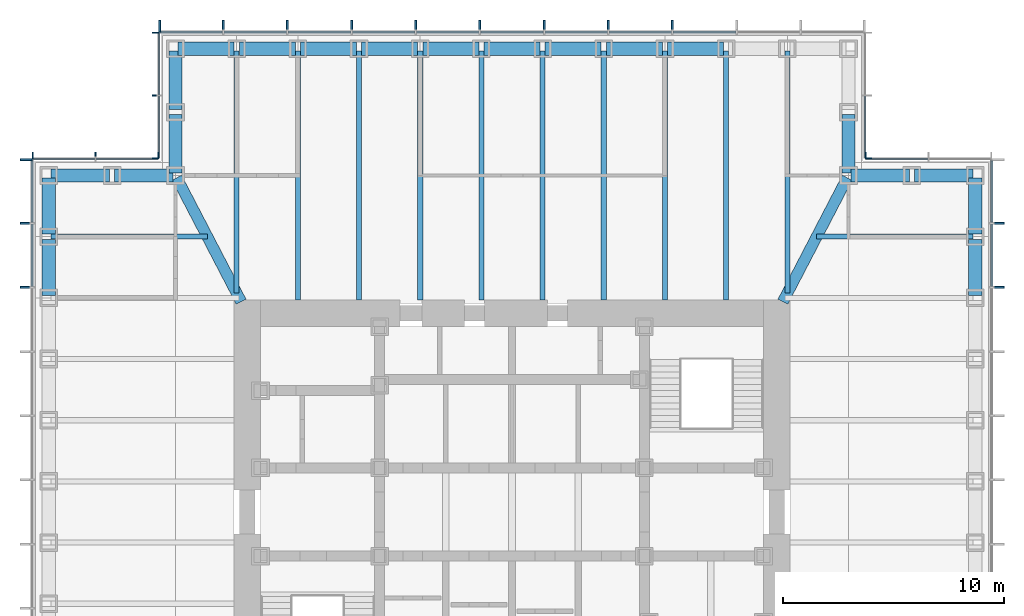
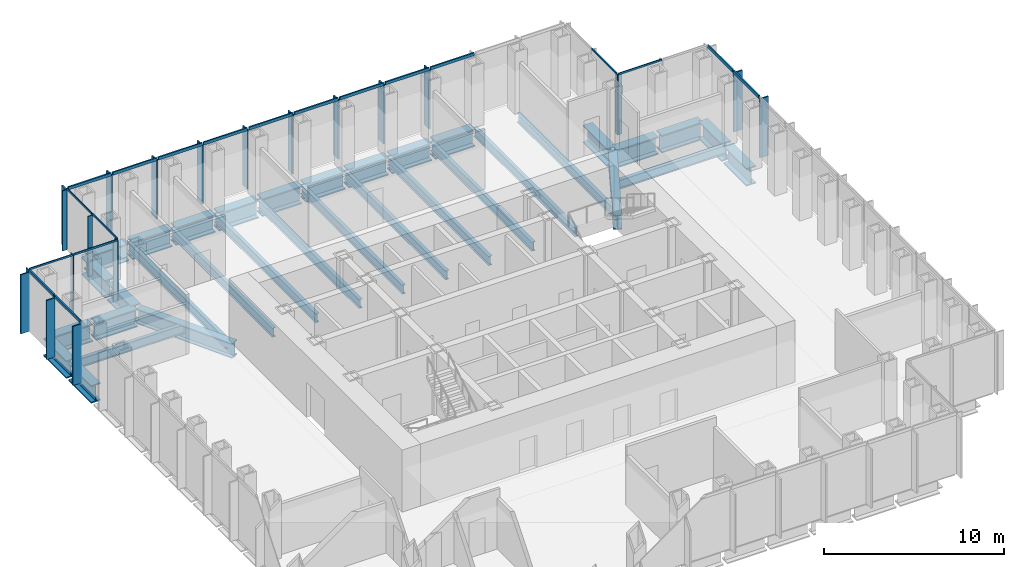
# One storey, part 5 of 16: 41 members, 34 beams, 7 elements without a shape of their own.
"""IFC4 building model written with IfcOpenShell, lengths in metres."""

from ifc_helpers import new_model, si_unit, direction, frame, origin, origin_2d, place, context, subcontext, project, spatial, rectangle, i_section, extrude, material, material_profile, profile_set, type_object, element, aggregate, save


model = new_model("IFC4")

# Units and contexts
model_context = context("Model", 3, precision=1e-05, world=origin(), true_north=direction((0.0, 1.0)))
body_context = subcontext(model_context, "Body", "Model", "MODEL_VIEW")
ifc_project = project(units=[si_unit("LENGTHUNIT", "METRE"), si_unit("AREAUNIT", "SQUARE_METRE"), si_unit("VOLUMEUNIT", "CUBIC_METRE"), si_unit("PLANEANGLEUNIT", "RADIAN"), si_unit("MASSUNIT", "GRAM", prefix="KILO")], contexts=[model_context])

# Site, building, storey
site_placement = place(None, origin())
site = spatial("IfcSite", under=ifc_project, at=site_placement, CompositionType="ELEMENT")
building_placement = place(site_placement, origin())
building = spatial("IfcBuilding", under=site, at=building_placement, Name="Daluyong Arena Tower", CompositionType="ELEMENT")
storey_placement = place(building_placement, frame((0.0, 0.0, 262.89990234375)))
storey = spatial("IfcBuildingStorey", under=building, at=storey_placement, Name="L59", CompositionType="ELEMENT", Elevation=262.89990234375)

# Curtain wall, members
ifc_material_1 = material(Name="Bronze anodised aluminium and glass", Category="aluminium")
curtain_wall_type_1 = type_object("IfcCurtainWallType", Name="Curtain wall CW4", PredefinedType="USERDEFINED", material=ifc_material_1)
curtain_wall_1_placement = place(storey_placement, origin())
curtain_wall_1 = element("IfcCurtainWall", 1, at=curtain_wall_1_placement, inside=storey, type_object=curtain_wall_type_1, Name="curtain wall L59 E", ObjectType="UNITISED CURTAIN WALL", PredefinedType="USERDEFINED")
ifc_material_2 = material(Name="Bronze anodised aluminium fin", Category="aluminium")
ifc_material_profile_1 = material_profile(ifc_material_2, rectangle(XDim=0.550048828125, YDim=0.090087890625, at=origin_2d()))
ifc_profile_set_1 = profile_set([ifc_material_profile_1], Name="Bronze anodised aluminium fin")
member_type_1 = type_object("IfcMemberType", Name="CW4 bronze fin 550x90", PredefinedType="MULLION", material=ifc_profile_set_1)
member_1_placement = place(storey_placement, frame((78.02490234375, 90.181884765625, 0.0), z_axis=(0.0, 0.0, 1.0), x_axis=(-1.0, 0.0, 0.0)))
member_1 = element("IfcMember", 2, at=member_1_placement, type_object=member_type_1, Name="curtain wall L59 E fin 10", PredefinedType="MULLION", context=body_context, shape_type="SweptSolid", body=[
    extrude(rectangle(XDim=0.550048828125, YDim=0.090087890625, at=origin_2d()), origin(), (0.0, 0.0, 1.0), 4.0),
])
member_2_placement = place(storey_placement, frame((78.02490234375, 93.0908203125, 0.0), z_axis=(0.0, 0.0, 1.0), x_axis=(-1.0, 0.0, 0.0)))
member_2 = element("IfcMember", 3, at=member_2_placement, type_object=member_type_1, Name="curtain wall L59 E fin 11", PredefinedType="MULLION", context=body_context, shape_type="SweptSolid", body=[
    extrude(rectangle(XDim=0.550048828125, YDim=0.090087890625, at=origin_2d()), origin(), (0.0, 0.0, 1.0), 4.0),
])

curtain_wall_2_placement = place(storey_placement, origin())
curtain_wall_2 = element("IfcCurtainWall", 4, at=curtain_wall_2_placement, inside=storey, type_object=curtain_wall_type_1, Name="curtain wall L59 N", ObjectType="UNITISED CURTAIN WALL", PredefinedType="USERDEFINED")
member_3_placement = place(storey_placement, frame((63.272705078125, 102.02490234375, 0.0), z_axis=(0.0, 0.0, 1.0), x_axis=(0.0, -1.0, 0.0)))
member_3 = element("IfcMember", 5, at=member_3_placement, type_object=member_type_1, Name="curtain wall L59 N fin 4", PredefinedType="MULLION", context=body_context, shape_type="SweptSolid", body=[
    extrude(rectangle(XDim=0.550048828125, YDim=0.090087890625, at=origin_2d()), origin(), (0.0, 0.0, 1.0), 4.0),
])
member_4_placement = place(storey_placement, frame((60.363525390625, 102.02490234375, 0.0), z_axis=(0.0, 0.0, 1.0), x_axis=(0.0, -1.0, 0.0)))
member_4 = element("IfcMember", 6, at=member_4_placement, type_object=member_type_1, Name="curtain wall L59 N fin 5", PredefinedType="MULLION", context=body_context, shape_type="SweptSolid", body=[
    extrude(rectangle(XDim=0.550048828125, YDim=0.090087890625, at=origin_2d()), origin(), (0.0, 0.0, 1.0), 4.0),
])
member_5_placement = place(storey_placement, frame((57.45458984375, 102.02490234375, 0.0), z_axis=(0.0, 0.0, 1.0), x_axis=(0.0, -1.0, 0.0)))
member_5 = element("IfcMember", 7, at=member_5_placement, type_object=member_type_1, Name="curtain wall L59 N fin 6", PredefinedType="MULLION", context=body_context, shape_type="SweptSolid", body=[
    extrude(rectangle(XDim=0.550048828125, YDim=0.090087890625, at=origin_2d()), origin(), (0.0, 0.0, 1.0), 4.0),
])
member_6_placement = place(storey_placement, frame((54.54541015625, 102.02490234375, 0.0), z_axis=(0.0, 0.0, 1.0), x_axis=(0.0, -1.0, 0.0)))
member_6 = element("IfcMember", 8, at=member_6_placement, type_object=member_type_1, Name="curtain wall L59 N fin 7", PredefinedType="MULLION", context=body_context, shape_type="SweptSolid", body=[
    extrude(rectangle(XDim=0.550048828125, YDim=0.090087890625, at=origin_2d()), origin(), (0.0, 0.0, 1.0), 4.0),
])
member_7_placement = place(storey_placement, frame((51.636474609375, 102.02490234375, 0.0), z_axis=(0.0, 0.0, 1.0), x_axis=(0.0, -1.0, 0.0)))
member_7 = element("IfcMember", 9, at=member_7_placement, type_object=member_type_1, Name="curtain wall L59 N fin 8", PredefinedType="MULLION", context=body_context, shape_type="SweptSolid", body=[
    extrude(rectangle(XDim=0.550048828125, YDim=0.090087890625, at=origin_2d()), origin(), (0.0, 0.0, 1.0), 4.0),
])
member_8_placement = place(storey_placement, frame((48.727294921875, 102.02490234375, 0.0), z_axis=(0.0, 0.0, 1.0), x_axis=(0.0, -1.0, 0.0)))
member_8 = element("IfcMember", 10, at=member_8_placement, type_object=member_type_1, Name="curtain wall L59 N fin 9", PredefinedType="MULLION", context=body_context, shape_type="SweptSolid", body=[
    extrude(rectangle(XDim=0.550048828125, YDim=0.090087890625, at=origin_2d()), origin(), (0.0, 0.0, 1.0), 4.0),
])
member_9_placement = place(storey_placement, frame((45.818115234375, 102.02490234375, 0.0), z_axis=(0.0, 0.0, 1.0), x_axis=(0.0, -1.0, 0.0)))
member_9 = element("IfcMember", 11, at=member_9_placement, type_object=member_type_1, Name="curtain wall L59 N fin 10", PredefinedType="MULLION", context=body_context, shape_type="SweptSolid", body=[
    extrude(rectangle(XDim=0.550048828125, YDim=0.090087890625, at=origin_2d()), origin(), (0.0, 0.0, 1.0), 4.0),
])
member_10_placement = place(storey_placement, frame((42.9091796875, 102.02490234375, 0.0), z_axis=(0.0, 0.0, 1.0), x_axis=(0.0, -1.0, 0.0)))
member_10 = element("IfcMember", 12, at=member_10_placement, type_object=member_type_1, Name="curtain wall L59 N fin 11", PredefinedType="MULLION", context=body_context, shape_type="SweptSolid", body=[
    extrude(rectangle(XDim=0.550048828125, YDim=0.090087890625, at=origin_2d()), origin(), (0.0, 0.0, 1.0), 4.0),
])
member_11_placement = place(storey_placement, frame((40.044921875, 102.02490234375, 0.0), z_axis=(0.0, 0.0, 1.0), x_axis=(0.0, -1.0, 0.0)))
member_11 = element("IfcMember", 13, at=member_11_placement, type_object=member_type_1, Name="curtain wall L59 N fin 12", PredefinedType="MULLION", context=body_context, shape_type="SweptSolid", body=[
    extrude(rectangle(XDim=0.550048828125, YDim=0.090087890625, at=origin_2d()), origin(), (0.0, 0.0, 1.0), 4.0),
])

curtain_wall_3_placement = place(storey_placement, origin())
curtain_wall_3 = element("IfcCurtainWall", 14, at=curtain_wall_3_placement, inside=storey, type_object=curtain_wall_type_1, Name="curtain wall L59 W", ObjectType="UNITISED CURTAIN WALL", PredefinedType="USERDEFINED")
member_12_placement = place(storey_placement, frame((33.97509765625, 95.955078125, 0.0), z_axis=(0.0, 0.0, 1.0), x_axis=(1.0, 0.0, 0.0)))
member_12 = element("IfcMember", 15, at=member_12_placement, type_object=member_type_1, Name="curtain wall L59 W fin 1", PredefinedType="MULLION", context=body_context, shape_type="SweptSolid", body=[
    extrude(rectangle(XDim=0.550048828125, YDim=0.090087890625, at=origin_2d()), origin(), (0.0, 0.0, 1.0), 4.0),
])
member_13_placement = place(storey_placement, frame((33.97509765625, 93.0908203125, 0.0), z_axis=(0.0, 0.0, 1.0), x_axis=(1.0, 0.0, 0.0)))
member_13 = element("IfcMember", 16, at=member_13_placement, type_object=member_type_1, Name="curtain wall L59 W fin 2", PredefinedType="MULLION", context=body_context, shape_type="SweptSolid", body=[
    extrude(rectangle(XDim=0.550048828125, YDim=0.090087890625, at=origin_2d()), origin(), (0.0, 0.0, 1.0), 4.0),
])
member_14_placement = place(storey_placement, frame((33.97509765625, 90.181884765625, 0.0), z_axis=(0.0, 0.0, 1.0), x_axis=(1.0, 0.0, 0.0)))
member_14 = element("IfcMember", 17, at=member_14_placement, type_object=member_type_1, Name="curtain wall L59 W fin 3", PredefinedType="MULLION", context=body_context, shape_type="SweptSolid", body=[
    extrude(rectangle(XDim=0.550048828125, YDim=0.090087890625, at=origin_2d()), origin(), (0.0, 0.0, 1.0), 4.0),
])

# Member
ifc_material_3 = material(Name="Bronze anodised aluminium", Category="aluminium")
ifc_material_profile_2 = material_profile(ifc_material_3, rectangle(XDim=0.090087890625, YDim=0.199951171875, at=origin_2d()))
ifc_profile_set_2 = profile_set([ifc_material_profile_2], Name="Bronze anodised aluminium")
member_type_2 = type_object("IfcMemberType", Name="CW4 stack transom 200x90", PredefinedType="USERDEFINED", material=ifc_profile_set_2)
member_15_placement = place(storey_placement, frame((77.75, 90.226806640625, 4.10009765625), z_axis=(0.0, 1.0, 0.0), x_axis=(-1.0, 0.0, 0.0)))
member_15 = element("IfcMember", 18, at=member_15_placement, type_object=member_type_2, Name="curtain wall L59 E transom 10", ObjectType="TRANSOM", PredefinedType="USERDEFINED", context=body_context, shape_type="SweptSolid", body=[
    extrude(rectangle(XDim=0.090087890625, YDim=0.199951171875, at=origin_2d()), origin(), (0.0, 0.0, 1.0), 2.819091796875),
])

member_16_placement = place(storey_placement, frame((77.75, 93.135986328125, 4.10009765625), z_axis=(0.0, 1.0, 0.0), x_axis=(-1.0, 0.0, 0.0)))
member_16 = element("IfcMember", 19, at=member_16_placement, type_object=member_type_2, Name="curtain wall L59 E transom 11", ObjectType="TRANSOM", PredefinedType="USERDEFINED", context=body_context, shape_type="SweptSolid", body=[
    extrude(rectangle(XDim=0.090087890625, YDim=0.199951171875, at=origin_2d()), origin(), (0.0, 0.0, 1.0), 2.77392578125),
])

aggregate(curtain_wall_1, [member_1, member_2, member_15, member_16])

member_17_placement = place(storey_placement, frame((66.13671875, 101.75, 4.10009765625), z_axis=(-1.0, 0.0, 0.0), x_axis=(0.0, -1.0, 0.0)))
member_17 = element("IfcMember", 20, at=member_17_placement, type_object=member_type_2, Name="curtain wall L59 N transom 3", ObjectType="TRANSOM", PredefinedType="USERDEFINED", context=body_context, shape_type="SweptSolid", body=[
    extrude(rectangle(XDim=0.090087890625, YDim=0.199951171875, at=origin_2d()), origin(), (0.0, 0.0, 1.0), 2.819091796875),
])

member_18_placement = place(storey_placement, frame((63.227783203125, 101.75, 4.10009765625), z_axis=(-1.0, 0.0, 0.0), x_axis=(0.0, -1.0, 0.0)))
member_18 = element("IfcMember", 21, at=member_18_placement, type_object=member_type_2, Name="curtain wall L59 N transom 4", ObjectType="TRANSOM", PredefinedType="USERDEFINED", context=body_context, shape_type="SweptSolid", body=[
    extrude(rectangle(XDim=0.090087890625, YDim=0.199951171875, at=origin_2d()), origin(), (0.0, 0.0, 1.0), 2.819091796875),
])

member_19_placement = place(storey_placement, frame((60.318603515625, 101.75, 4.10009765625), z_axis=(-1.0, 0.0, 0.0), x_axis=(0.0, -1.0, 0.0)))
member_19 = element("IfcMember", 22, at=member_19_placement, type_object=member_type_2, Name="curtain wall L59 N transom 5", ObjectType="TRANSOM", PredefinedType="USERDEFINED", context=body_context, shape_type="SweptSolid", body=[
    extrude(rectangle(XDim=0.090087890625, YDim=0.199951171875, at=origin_2d()), origin(), (0.0, 0.0, 1.0), 2.819091796875),
])

member_20_placement = place(storey_placement, frame((57.409423828125, 101.75, 4.10009765625), z_axis=(-1.0, 0.0, 0.0), x_axis=(0.0, -1.0, 0.0)))
member_20 = element("IfcMember", 23, at=member_20_placement, type_object=member_type_2, Name="curtain wall L59 N transom 6", ObjectType="TRANSOM", PredefinedType="USERDEFINED", context=body_context, shape_type="SweptSolid", body=[
    extrude(rectangle(XDim=0.090087890625, YDim=0.199951171875, at=origin_2d()), origin(), (0.0, 0.0, 1.0), 2.81884765625),
])

member_21_placement = place(storey_placement, frame((54.50048828125, 101.75, 4.10009765625), z_axis=(-1.0, 0.0, 0.0), x_axis=(0.0, -1.0, 0.0)))
member_21 = element("IfcMember", 24, at=member_21_placement, type_object=member_type_2, Name="curtain wall L59 N transom 7", ObjectType="TRANSOM", PredefinedType="USERDEFINED", context=body_context, shape_type="SweptSolid", body=[
    extrude(rectangle(XDim=0.090087890625, YDim=0.199951171875, at=origin_2d()), origin(), (0.0, 0.0, 1.0), 2.819091796875),
])

member_22_placement = place(storey_placement, frame((51.59130859375, 101.75, 4.10009765625), z_axis=(-1.0, 0.0, 0.0), x_axis=(0.0, -1.0, 0.0)))
member_22 = element("IfcMember", 25, at=member_22_placement, type_object=member_type_2, Name="curtain wall L59 N transom 8", ObjectType="TRANSOM", PredefinedType="USERDEFINED", context=body_context, shape_type="SweptSolid", body=[
    extrude(rectangle(XDim=0.090087890625, YDim=0.199951171875, at=origin_2d()), origin(), (0.0, 0.0, 1.0), 2.819091796875),
])

member_23_placement = place(storey_placement, frame((48.682373046875, 101.75, 4.10009765625), z_axis=(-1.0, 0.0, 0.0), x_axis=(0.0, -1.0, 0.0)))
member_23 = element("IfcMember", 26, at=member_23_placement, type_object=member_type_2, Name="curtain wall L59 N transom 9", ObjectType="TRANSOM", PredefinedType="USERDEFINED", context=body_context, shape_type="SweptSolid", body=[
    extrude(rectangle(XDim=0.090087890625, YDim=0.199951171875, at=origin_2d()), origin(), (0.0, 0.0, 1.0), 2.819091796875),
])

member_24_placement = place(storey_placement, frame((45.773193359375, 101.75, 4.10009765625), z_axis=(-1.0, 0.0, 0.0), x_axis=(0.0, -1.0, 0.0)))
member_24 = element("IfcMember", 27, at=member_24_placement, type_object=member_type_2, Name="curtain wall L59 N transom 10", ObjectType="TRANSOM", PredefinedType="USERDEFINED", context=body_context, shape_type="SweptSolid", body=[
    extrude(rectangle(XDim=0.090087890625, YDim=0.199951171875, at=origin_2d()), origin(), (0.0, 0.0, 1.0), 2.819091796875),
])

member_25_placement = place(storey_placement, frame((42.864013671875, 101.75, 4.10009765625), z_axis=(-1.0, 0.0, 0.0), x_axis=(0.0, -1.0, 0.0)))
member_25 = element("IfcMember", 28, at=member_25_placement, type_object=member_type_2, Name="curtain wall L59 N transom 11", ObjectType="TRANSOM", PredefinedType="USERDEFINED", context=body_context, shape_type="SweptSolid", body=[
    extrude(rectangle(XDim=0.090087890625, YDim=0.199951171875, at=origin_2d()), origin(), (0.0, 0.0, 1.0), 2.77392578125),
])

aggregate(curtain_wall_2, [member_3, member_4, member_5, member_6, member_7, member_8, member_9, member_10, member_11, member_17, member_18, member_19, member_20, member_21, member_22, member_23, member_24, member_25])

member_26_placement = place(storey_placement, frame((34.25, 95.909912109375, 4.10009765625), z_axis=(0.0, -1.0, 0.0), x_axis=(1.0, 0.0, 0.0)))
member_26 = element("IfcMember", 29, at=member_26_placement, type_object=member_type_2, Name="curtain wall L59 W transom 1", ObjectType="TRANSOM", PredefinedType="USERDEFINED", context=body_context, shape_type="SweptSolid", body=[
    extrude(rectangle(XDim=0.090087890625, YDim=0.199951171875, at=origin_2d()), origin(), (0.0, 0.0, 1.0), 2.77392578125),
])

member_27_placement = place(storey_placement, frame((34.25, 93.0458984375, 4.10009765625), z_axis=(0.0, -1.0, 0.0), x_axis=(1.0, 0.0, 0.0)))
member_27 = element("IfcMember", 30, at=member_27_placement, type_object=member_type_2, Name="curtain wall L59 W transom 2", ObjectType="TRANSOM", PredefinedType="USERDEFINED", context=body_context, shape_type="SweptSolid", body=[
    extrude(rectangle(XDim=0.090087890625, YDim=0.199951171875, at=origin_2d()), origin(), (0.0, 0.0, 1.0), 2.819091796875),
])

aggregate(curtain_wall_3, [member_12, member_13, member_14, member_26, member_27])

# Curtain wall, member
ifc_material_4 = material(Name="Bronze anodised aluminium and glass", Category="aluminium")
curtain_wall_type_2 = type_object("IfcCurtainWallType", Name="Curtain wall CW7", PredefinedType="USERDEFINED", material=ifc_material_4)
curtain_wall_4_placement = place(storey_placement, origin())
curtain_wall_4 = element("IfcCurtainWall", 31, at=curtain_wall_4_placement, inside=storey, type_object=curtain_wall_type_2, Name="curtain wall L59 NE-N", ObjectType="UNITISED CURTAIN WALL", PredefinedType="USERDEFINED")
ifc_material_5 = material(Name="Bronze anodised aluminium fin", Category="aluminium")
ifc_material_profile_3 = material_profile(ifc_material_5, rectangle(XDim=0.300048828125, YDim=0.06005859375, at=origin_2d()))
ifc_profile_set_3 = profile_set([ifc_material_profile_3], Name="Bronze anodised aluminium fin")
member_type_3 = type_object("IfcMemberType", Name="CW7 bronze fin 300x60", PredefinedType="MULLION", material=ifc_profile_set_3)
member_28_placement = place(storey_placement, frame((72.030029296875, 96.14990234375, 0.0), z_axis=(0.0, 0.0, 1.0), x_axis=(0.0, -1.0, 0.0)))
member_28 = element("IfcMember", 32, at=member_28_placement, type_object=member_type_3, Name="curtain wall L59 NE-N fin 3", PredefinedType="MULLION", context=body_context, shape_type="SweptSolid", body=[
    extrude(rectangle(XDim=0.300048828125, YDim=0.06005859375, at=origin_2d()), origin(), (0.0, 0.0, 1.0), 4.080078125),
])

curtain_wall_5_placement = place(storey_placement, origin())
curtain_wall_5 = element("IfcCurtainWall", 33, at=curtain_wall_5_placement, inside=storey, type_object=curtain_wall_type_2, Name="curtain wall L59 NE-E", ObjectType="UNITISED CURTAIN WALL", PredefinedType="USERDEFINED")
member_29_placement = place(storey_placement, frame((72.14990234375, 96.030029296875, 0.0), z_axis=(0.0, 0.0, 1.0), x_axis=(-1.0, 0.0, 0.0)))
member_29 = element("IfcMember", 34, at=member_29_placement, type_object=member_type_3, Name="curtain wall L59 NE-E fin 1", PredefinedType="MULLION", context=body_context, shape_type="SweptSolid", body=[
    extrude(rectangle(XDim=0.300048828125, YDim=0.06005859375, at=origin_2d()), origin(), (0.0, 0.0, 1.0), 4.080078125),
])

# Curtain wall, members
curtain_wall_6_placement = place(storey_placement, origin())
curtain_wall_6 = element("IfcCurtainWall", 35, at=curtain_wall_6_placement, inside=storey, type_object=curtain_wall_type_2, Name="curtain wall L59 NW-W", ObjectType="UNITISED CURTAIN WALL", PredefinedType="USERDEFINED")
member_30_placement = place(storey_placement, frame((39.85009765625, 101.719970703125, 0.0), z_axis=(0.0, 0.0, 1.0), x_axis=(1.0, 0.0, 0.0)))
member_30 = element("IfcMember", 36, at=member_30_placement, type_object=member_type_3, Name="curtain wall L59 NW-W fin 1", PredefinedType="MULLION", context=body_context, shape_type="SweptSolid", body=[
    extrude(rectangle(XDim=0.300048828125, YDim=0.06005859375, at=origin_2d()), origin(), (0.0, 0.0, 1.0), 4.080078125),
])
member_31_placement = place(storey_placement, frame((39.85009765625, 98.875, 0.0), z_axis=(0.0, 0.0, 1.0), x_axis=(1.0, 0.0, 0.0)))
member_31 = element("IfcMember", 37, at=member_31_placement, type_object=member_type_3, Name="curtain wall L59 NW-W fin 2", PredefinedType="MULLION", context=body_context, shape_type="SweptSolid", body=[
    extrude(rectangle(XDim=0.300048828125, YDim=0.06005859375, at=origin_2d()), origin(), (0.0, 0.0, 1.0), 4.080078125),
])
member_32_placement = place(storey_placement, frame((39.85009765625, 96.030029296875, 0.0), z_axis=(0.0, 0.0, 1.0), x_axis=(1.0, 0.0, 0.0)))
member_32 = element("IfcMember", 38, at=member_32_placement, type_object=member_type_3, Name="curtain wall L59 NW-W fin 3", PredefinedType="MULLION", context=body_context, shape_type="SweptSolid", body=[
    extrude(rectangle(XDim=0.300048828125, YDim=0.06005859375, at=origin_2d()), origin(), (0.0, 0.0, 1.0), 4.080078125),
])

curtain_wall_7_placement = place(storey_placement, origin())
curtain_wall_7 = element("IfcCurtainWall", 39, at=curtain_wall_7_placement, inside=storey, type_object=curtain_wall_type_2, Name="curtain wall L59 NW-N", ObjectType="UNITISED CURTAIN WALL", PredefinedType="USERDEFINED")
member_33_placement = place(storey_placement, frame((39.969970703125, 96.14990234375, 0.0), z_axis=(0.0, 0.0, 1.0), x_axis=(0.0, -1.0, 0.0)))
member_33 = element("IfcMember", 40, at=member_33_placement, type_object=member_type_3, Name="curtain wall L59 NW-N fin 1", PredefinedType="MULLION", context=body_context, shape_type="SweptSolid", body=[
    extrude(rectangle(XDim=0.300048828125, YDim=0.06005859375, at=origin_2d()), origin(), (0.0, 0.0, 1.0), 4.080078125),
])
member_34_placement = place(storey_placement, frame((37.125, 96.14990234375, 0.0), z_axis=(0.0, 0.0, 1.0), x_axis=(0.0, -1.0, 0.0)))
member_34 = element("IfcMember", 41, at=member_34_placement, type_object=member_type_3, Name="curtain wall L59 NW-N fin 2", PredefinedType="MULLION", context=body_context, shape_type="SweptSolid", body=[
    extrude(rectangle(XDim=0.300048828125, YDim=0.06005859375, at=origin_2d()), origin(), (0.0, 0.0, 1.0), 4.080078125),
])
member_35_placement = place(storey_placement, frame((34.280029296875, 96.14990234375, 0.0), z_axis=(0.0, 0.0, 1.0), x_axis=(0.0, -1.0, 0.0)))
member_35 = element("IfcMember", 42, at=member_35_placement, type_object=member_type_3, Name="curtain wall L59 NW-N fin 3", PredefinedType="MULLION", context=body_context, shape_type="SweptSolid", body=[
    extrude(rectangle(XDim=0.300048828125, YDim=0.06005859375, at=origin_2d()), origin(), (0.0, 0.0, 1.0), 4.080078125),
])

# Member
ifc_material_6 = material(Name="Bronze anodised aluminium", Category="aluminium")
ifc_material_profile_4 = material_profile(ifc_material_6, rectangle(XDim=0.06005859375, YDim=0.1201171875, at=origin_2d()))
ifc_profile_set_4 = profile_set([ifc_material_profile_4], Name="Bronze anodised aluminium")
member_type_4 = type_object("IfcMemberType", Name="CW7 stack transom 120x60", PredefinedType="USERDEFINED", material=ifc_profile_set_4)
member_36_placement = place(storey_placement, frame((74.844970703125, 96.0, 4.14013671875), z_axis=(-1.0, 0.0, 0.0), x_axis=(0.0, -1.0, 0.0)))
member_36 = element("IfcMember", 43, at=member_36_placement, type_object=member_type_4, Name="curtain wall L59 NE-N transom 2", ObjectType="TRANSOM", PredefinedType="USERDEFINED", context=body_context, shape_type="SweptSolid", body=[
    extrude(rectangle(XDim=0.06005859375, YDim=0.1201171875, at=origin_2d()), origin(), (0.0, 0.0, 1.0), 2.784912109375),
])

aggregate(curtain_wall_4, [member_28, member_36])

member_37_placement = place(storey_placement, frame((72.0, 96.06005859375, 4.14013671875), z_axis=(0.0, 1.0, 0.0), x_axis=(-1.0, 0.0, 0.0)))
member_37 = element("IfcMember", 44, at=member_37_placement, type_object=member_type_4, Name="curtain wall L59 NE-E transom 1", ObjectType="TRANSOM", PredefinedType="USERDEFINED", context=body_context, shape_type="SweptSolid", body=[
    extrude(rectangle(XDim=0.06005859375, YDim=0.1201171875, at=origin_2d()), origin(), (0.0, 0.0, 1.0), 2.784912109375),
])

aggregate(curtain_wall_5, [member_29, member_37])

member_38_placement = place(storey_placement, frame((40.0, 101.68994140625, 4.14013671875), z_axis=(0.0, -1.0, 0.0), x_axis=(1.0, 0.0, 0.0)))
member_38 = element("IfcMember", 45, at=member_38_placement, type_object=member_type_4, Name="curtain wall L59 NW-W transom 1", ObjectType="TRANSOM", PredefinedType="USERDEFINED", context=body_context, shape_type="SweptSolid", body=[
    extrude(rectangle(XDim=0.06005859375, YDim=0.1201171875, at=origin_2d()), origin(), (0.0, 0.0, 1.0), 2.784912109375),
])

member_39_placement = place(storey_placement, frame((40.0, 98.844970703125, 4.14013671875), z_axis=(0.0, -1.0, 0.0), x_axis=(1.0, 0.0, 0.0)))
member_39 = element("IfcMember", 46, at=member_39_placement, type_object=member_type_4, Name="curtain wall L59 NW-W transom 2", ObjectType="TRANSOM", PredefinedType="USERDEFINED", context=body_context, shape_type="SweptSolid", body=[
    extrude(rectangle(XDim=0.06005859375, YDim=0.1201171875, at=origin_2d()), origin(), (0.0, 0.0, 1.0), 2.784912109375),
])

aggregate(curtain_wall_6, [member_30, member_31, member_32, member_38, member_39])

member_40_placement = place(storey_placement, frame((39.93994140625, 96.0, 4.14013671875), z_axis=(-1.0, 0.0, 0.0), x_axis=(0.0, -1.0, 0.0)))
member_40 = element("IfcMember", 47, at=member_40_placement, type_object=member_type_4, Name="curtain wall L59 NW-N transom 1", ObjectType="TRANSOM", PredefinedType="USERDEFINED", context=body_context, shape_type="SweptSolid", body=[
    extrude(rectangle(XDim=0.06005859375, YDim=0.1201171875, at=origin_2d()), origin(), (0.0, 0.0, 1.0), 2.784912109375),
])

member_41_placement = place(storey_placement, frame((37.094970703125, 96.0, 4.14013671875), z_axis=(-1.0, 0.0, 0.0), x_axis=(0.0, -1.0, 0.0)))
member_41 = element("IfcMember", 48, at=member_41_placement, type_object=member_type_4, Name="curtain wall L59 NW-N transom 2", ObjectType="TRANSOM", PredefinedType="USERDEFINED", context=body_context, shape_type="SweptSolid", body=[
    extrude(rectangle(XDim=0.06005859375, YDim=0.1201171875, at=origin_2d()), origin(), (0.0, 0.0, 1.0), 2.784912109375),
])

aggregate(curtain_wall_7, [member_33, member_34, member_35, member_40, member_41])

# Beams
ifc_material_7 = material(Name="Steel ASTM A572 Grade 50", Category="steel")
ifc_material_profile_5 = material_profile(ifc_material_7, i_section(OverallWidth=0.5, OverallDepth=1.0, WebThickness=0.03, FlangeThickness=0.06, at=origin_2d()))
ifc_profile_set_5 = profile_set([ifc_material_profile_5], Name="Steel ASTM A572 Grade 50")
beam_type_1 = type_object("IfcBeamType", Name="Corner girder TB1000X500", PredefinedType="BEAM", material=ifc_profile_set_5)
for number, where, z_axis, x_axis, name in (
    (49, (71.197021484375, 95.14794921875, -0.659912109375), (-0.461351522179, -0.887217432754, 0.0), (0.887217432754, -0.461351522179, 0.0), "corner girder DG2"),
    (50, (40.802978515625, 95.14794921875, -0.659912109375), (0.461351522179, -0.887217432754, 0.0), (0.887217432754, 0.461351522179, 0.0), "corner girder DG2"),
):
    element("IfcBeam", number, at=place(storey_placement, frame(where, z_axis=z_axis, x_axis=x_axis)), inside=storey, type_object=beam_type_1, Name=name, PredefinedType="BEAM", context=body_context, shape_type="SweptSolid", body=[
        extrude(i_section(OverallWidth=0.5, OverallDepth=1.0, WebThickness=0.03, FlangeThickness=0.06, at=origin_2d()), origin(), (0.0, 0.0, 1.0), 6.32958984375),
    ])
ifc_material_8 = material(Name="Steel ASTM A992 Grade 50", Category="steel")
ifc_material_profile_6 = material_profile(ifc_material_8, i_section(OverallWidth=0.22900390625, OverallDepth=0.612060546875, WebThickness=0.011962890625, FlangeThickness=0.01953125, at=origin_2d()))
ifc_profile_set_6 = profile_set([ifc_material_profile_6], Name="Steel ASTM A992 Grade 50")
beam_type_2 = type_object("IfcBeamType", Name="Floor beam W24X84", PredefinedType="BEAM", material=ifc_profile_set_6)
beam_1_placement = place(storey_placement, frame((76.885009765625, 92.477294921875, -0.466064453125), z_axis=(-1.0, 0.0, 0.0), x_axis=(0.0, -1.0, 0.0)))
element("IfcBeam", 51, at=beam_1_placement, inside=storey, type_object=beam_type_2, Name="floor beam FB3", PredefinedType="BEAM", context=body_context, shape_type="SweptSolid", body=[
    extrude(i_section(OverallWidth=0.22900390625, OverallDepth=0.612060546875, WebThickness=0.011962890625, FlangeThickness=0.01953125, at=origin_2d()), origin(), (0.0, 0.0, 1.0), 7.076904296875),
])
beam_2_placement = place(storey_placement, frame((68.477294921875, 100.885009765625, -0.466064453125), z_axis=(0.0, -1.0, 0.0), x_axis=(1.0, 0.0, 0.0)))
element("IfcBeam", 52, at=beam_2_placement, inside=storey, type_object=beam_type_2, Name="floor beam FB3", PredefinedType="BEAM", context=body_context, shape_type="SweptSolid", body=[
    extrude(i_section(OverallWidth=0.22900390625, OverallDepth=0.612060546875, WebThickness=0.011962890625, FlangeThickness=0.01953125, at=origin_2d()), origin(), (0.0, 0.0, 1.0), 10.96728515625),
])
for number, where, z_axis, x_axis, name in (
    (53, (65.70458984375, 100.885009765625, -0.466064453125), (0.0, -1.0, 0.0), (1.0, 0.0, 0.0), "floor beam FB3"),
    (54, (62.931884765625, 100.885009765625, -0.466064453125), (0.0, -1.0, 0.0), (1.0, 0.0, 0.0), "floor beam FB3"),
    (55, (60.1591796875, 100.885009765625, -0.466064453125), (0.0, -1.0, 0.0), (1.0, 0.0, 0.0), "floor beam FB3"),
    (56, (57.386474609375, 100.885009765625, -0.466064453125), (0.0, -1.0, 0.0), (1.0, 0.0, 0.0), "floor beam FB3"),
    (57, (54.613525390625, 100.885009765625, -0.466064453125), (0.0, -1.0, 0.0), (1.0, 0.0, 0.0), "floor beam FB3"),
    (58, (51.8408203125, 100.885009765625, -0.466064453125), (0.0, -1.0, 0.0), (1.0, 0.0, 0.0), "floor beam FB3"),
    (59, (49.068115234375, 100.885009765625, -0.466064453125), (0.0, -1.0, 0.0), (1.0, 0.0, 0.0), "floor beam FB3"),
    (60, (46.29541015625, 100.885009765625, -0.466064453125), (0.0, -1.0, 0.0), (1.0, 0.0, 0.0), "floor beam FB3"),
):
    element("IfcBeam", number, at=place(storey_placement, frame(where, z_axis=z_axis, x_axis=x_axis)), inside=storey, type_object=beam_type_2, Name=name, PredefinedType="BEAM", context=body_context, shape_type="SweptSolid", body=[
        extrude(i_section(OverallWidth=0.22900390625, OverallDepth=0.612060546875, WebThickness=0.011962890625, FlangeThickness=0.01953125, at=origin_2d()), origin(), (0.0, 0.0, 1.0), 11.284912109375),
    ])
beam_3_placement = place(storey_placement, frame((43.522705078125, 100.885009765625, -0.466064453125), z_axis=(0.0, -1.0, 0.0), x_axis=(1.0, 0.0, 0.0)))
element("IfcBeam", 61, at=beam_3_placement, inside=storey, type_object=beam_type_2, Name="floor beam FB3", PredefinedType="BEAM", context=body_context, shape_type="SweptSolid", body=[
    extrude(i_section(OverallWidth=0.22900390625, OverallDepth=0.612060546875, WebThickness=0.011962890625, FlangeThickness=0.01953125, at=origin_2d()), origin(), (0.0, 0.0, 1.0), 10.96728515625),
])
beam_4_placement = place(storey_placement, frame((35.114990234375, 92.477294921875, -0.466064453125), z_axis=(1.0, 0.0, 0.0), x_axis=(0.0, 1.0, 0.0)))
element("IfcBeam", 62, at=beam_4_placement, inside=storey, type_object=beam_type_2, Name="floor beam FB3", PredefinedType="BEAM", context=body_context, shape_type="SweptSolid", body=[
    extrude(i_section(OverallWidth=0.22900390625, OverallDepth=0.612060546875, WebThickness=0.011962890625, FlangeThickness=0.01953125, at=origin_2d()), origin(), (0.0, 0.0, 1.0), 7.076904296875),
])
ifc_material_9 = material(Name="Steel ASTM A572 Grade 50", Category="steel")
ifc_material_profile_7 = material_profile(ifc_material_9, i_section(OverallWidth=0.60009765625, OverallDepth=1.199951171875, WebThickness=0.03, FlangeThickness=0.08, at=origin_2d()))
ifc_profile_set_7 = profile_set([ifc_material_profile_7], Name="Steel ASTM A572 Grade 50")
beam_type_3 = type_object("IfcBeamType", Name="Spandrel Z4 PG1200X600", PredefinedType="SPANDREL", material=ifc_profile_set_7)
for number, where, z_axis, x_axis, name in (
    (63, (77.0, 89.819580078125, -0.760009765625), (0.0, 1.0, 0.0), (-1.0, 0.0, 0.0), "spandrel z4 SB9"),
    (64, (77.0, 92.59228515625, -0.760009765625), (0.0, 1.0, 0.0), (-1.0, 0.0, 0.0), "spandrel z4 SB9"),
):
    element("IfcBeam", number, at=place(storey_placement, frame(where, z_axis=z_axis, x_axis=x_axis)), inside=storey, type_object=beam_type_3, Name=name, PredefinedType="SPANDREL", context=body_context, shape_type="SweptSolid", body=[
        extrude(i_section(OverallWidth=0.60009765625, OverallDepth=1.199951171875, WebThickness=0.03, FlangeThickness=0.08, at=origin_2d()), origin(), (0.0, 0.0, 1.0), 2.542724609375),
    ])
for number, where, z_axis, x_axis, name in (
    (65, (76.885009765625, 95.25, -0.760009765625), (-1.0, 0.0, 0.0), (0.0, -1.0, 0.0), "spandrel z4 SB9"),
    (66, (74.010009765625, 95.25, -0.760009765625), (-1.0, 0.0, 0.0), (0.0, -1.0, 0.0), "spandrel z4 SB9"),
    (67, (71.25, 95.364990234375, -0.760009765625), (0.0, 1.0, 0.0), (-1.0, 0.0, 0.0), "spandrel z4 SB9"),
):
    element("IfcBeam", number, at=place(storey_placement, frame(where, z_axis=z_axis, x_axis=x_axis)), inside=storey, type_object=beam_type_3, Name=name, PredefinedType="SPANDREL", context=body_context, shape_type="SweptSolid", body=[
        extrude(i_section(OverallWidth=0.60009765625, OverallDepth=1.199951171875, WebThickness=0.03, FlangeThickness=0.08, at=origin_2d()), origin(), (0.0, 0.0, 1.0), 2.64501953125),
    ])
for number, where, z_axis, x_axis, name in (
    (68, (65.589599609375, 101.0, -0.760009765625), (-1.0, 0.0, 0.0), (0.0, -1.0, 0.0), "spandrel z4 SB9"),
    (69, (62.81689453125, 101.0, -0.760009765625), (-1.0, 0.0, 0.0), (0.0, -1.0, 0.0), "spandrel z4 SB9"),
    (70, (60.044189453125, 101.0, -0.760009765625), (-1.0, 0.0, 0.0), (0.0, -1.0, 0.0), "spandrel z4 SB9"),
):
    element("IfcBeam", number, at=place(storey_placement, frame(where, z_axis=z_axis, x_axis=x_axis)), inside=storey, type_object=beam_type_3, Name=name, PredefinedType="SPANDREL", context=body_context, shape_type="SweptSolid", body=[
        extrude(i_section(OverallWidth=0.60009765625, OverallDepth=1.199951171875, WebThickness=0.03, FlangeThickness=0.08, at=origin_2d()), origin(), (0.0, 0.0, 1.0), 2.542724609375),
    ])
beam_5_placement = place(storey_placement, frame((57.271484375, 101.0, -0.760009765625), z_axis=(-1.0, 0.0, 0.0), x_axis=(0.0, -1.0, 0.0)))
element("IfcBeam", 71, at=beam_5_placement, inside=storey, type_object=beam_type_3, Name="spandrel z4 SB9", PredefinedType="SPANDREL", context=body_context, shape_type="SweptSolid", body=[
    extrude(i_section(OverallWidth=0.60009765625, OverallDepth=1.199951171875, WebThickness=0.03, FlangeThickness=0.08, at=origin_2d()), origin(), (0.0, 0.0, 1.0), 2.54296875),
])
for number, where, z_axis, x_axis, name in (
    (72, (54.49853515625, 101.0, -0.760009765625), (-1.0, 0.0, 0.0), (0.0, -1.0, 0.0), "spandrel z4 SB9"),
    (73, (51.725830078125, 101.0, -0.760009765625), (-1.0, 0.0, 0.0), (0.0, -1.0, 0.0), "spandrel z4 SB9"),
    (74, (48.953125, 101.0, -0.760009765625), (-1.0, 0.0, 0.0), (0.0, -1.0, 0.0), "spandrel z4 SB9"),
    (75, (46.180419921875, 101.0, -0.760009765625), (-1.0, 0.0, 0.0), (0.0, -1.0, 0.0), "spandrel z4 SB9"),
    (76, (43.40771484375, 101.0, -0.760009765625), (-1.0, 0.0, 0.0), (0.0, -1.0, 0.0), "spandrel z4 SB9"),
):
    element("IfcBeam", number, at=place(storey_placement, frame(where, z_axis=z_axis, x_axis=x_axis)), inside=storey, type_object=beam_type_3, Name=name, PredefinedType="SPANDREL", context=body_context, shape_type="SweptSolid", body=[
        extrude(i_section(OverallWidth=0.60009765625, OverallDepth=1.199951171875, WebThickness=0.03, FlangeThickness=0.08, at=origin_2d()), origin(), (0.0, 0.0, 1.0), 2.542724609375),
    ])
for number, where, z_axis, x_axis, name in (
    (77, (40.75, 100.885009765625, -0.760009765625), (0.0, -1.0, 0.0), (1.0, 0.0, 0.0), "spandrel z4 SB9"),
    (78, (40.75, 98.010009765625, -0.760009765625), (0.0, -1.0, 0.0), (1.0, 0.0, 0.0), "spandrel z4 SB9"),
    (79, (40.635009765625, 95.25, -0.760009765625), (-1.0, 0.0, 0.0), (0.0, -1.0, 0.0), "spandrel z4 SB9"),
    (80, (37.760009765625, 95.25, -0.760009765625), (-1.0, 0.0, 0.0), (0.0, -1.0, 0.0), "spandrel z4 SB9"),
):
    element("IfcBeam", number, at=place(storey_placement, frame(where, z_axis=z_axis, x_axis=x_axis)), inside=storey, type_object=beam_type_3, Name=name, PredefinedType="SPANDREL", context=body_context, shape_type="SweptSolid", body=[
        extrude(i_section(OverallWidth=0.60009765625, OverallDepth=1.199951171875, WebThickness=0.03, FlangeThickness=0.08, at=origin_2d()), origin(), (0.0, 0.0, 1.0), 2.64501953125),
    ])
for number, where, z_axis, x_axis, name in (
    (81, (35.0, 95.135009765625, -0.760009765625), (0.0, -1.0, 0.0), (1.0, 0.0, 0.0), "spandrel z4 SB9"),
    (82, (35.0, 92.3623046875, -0.760009765625), (0.0, -1.0, 0.0), (1.0, 0.0, 0.0), "spandrel z4 SB9"),
):
    element("IfcBeam", number, at=place(storey_placement, frame(where, z_axis=z_axis, x_axis=x_axis)), inside=storey, type_object=beam_type_3, Name=name, PredefinedType="SPANDREL", context=body_context, shape_type="SweptSolid", body=[
        extrude(i_section(OverallWidth=0.60009765625, OverallDepth=1.199951171875, WebThickness=0.03, FlangeThickness=0.08, at=origin_2d()), origin(), (0.0, 0.0, 1.0), 2.542724609375),
    ])

save(model, "model.ifc")
